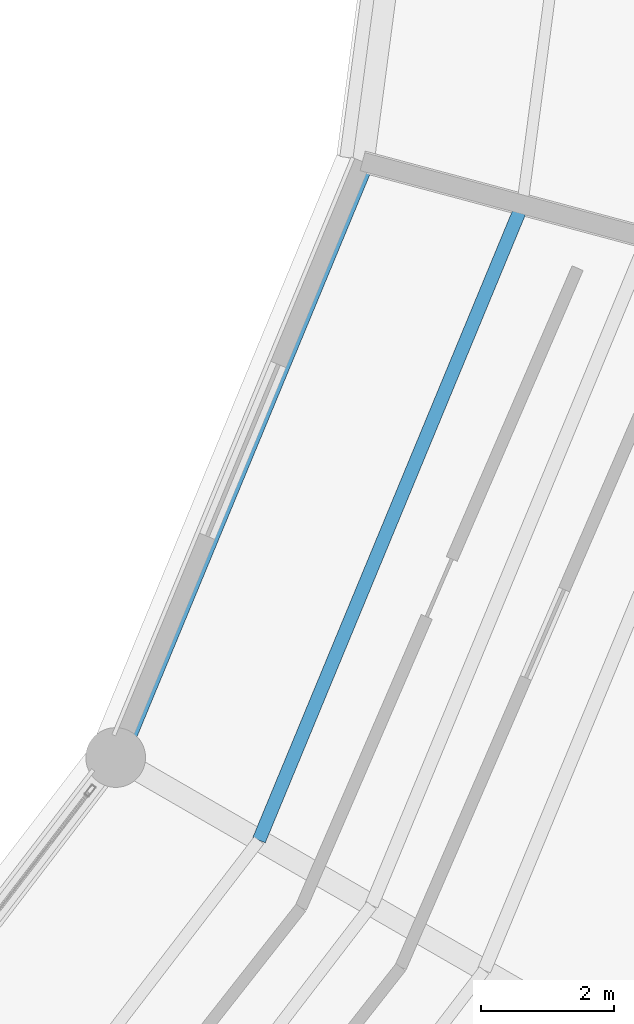
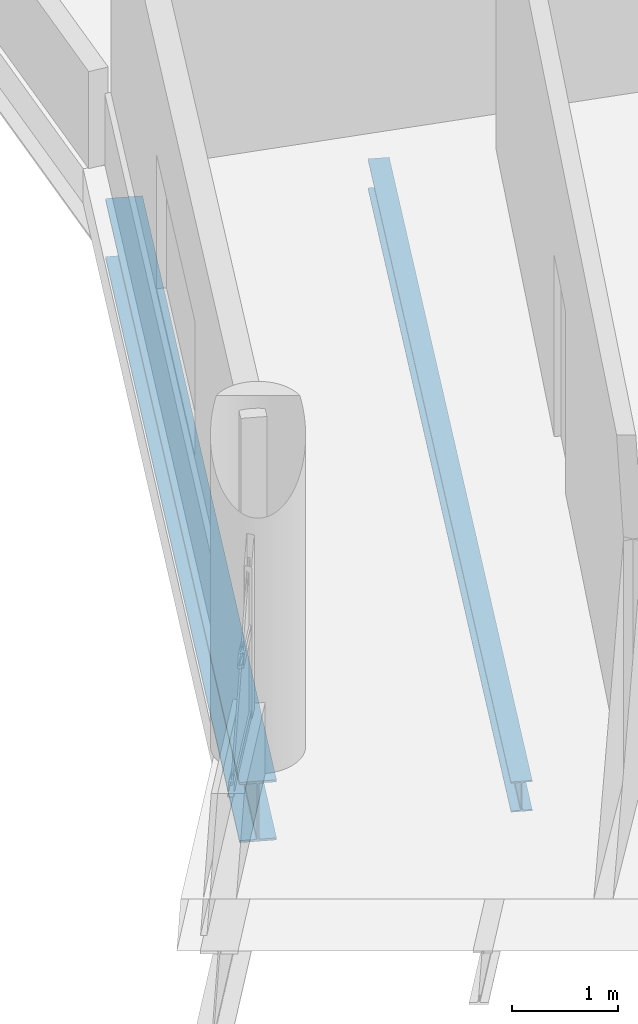
# One storey, part 52 of 108: 2 beams.
"""IFC4 building model written with IfcOpenShell, lengths in metres."""

from ifc_helpers import new_model, si_unit, direction, frame, origin, origin_2d, place, context, subcontext, project, spatial, i_section, extrude, material, material_profile, profile_set, type_object, element, save


model = new_model("IFC4")

# Units and contexts
model_context = context("Model", 3, precision=1e-05, world=origin(), true_north=direction((0.0, 1.0)))
body_context = subcontext(model_context, "Body", "Model", "MODEL_VIEW")
ifc_project = project(units=[si_unit("LENGTHUNIT", "METRE"), si_unit("AREAUNIT", "SQUARE_METRE"), si_unit("VOLUMEUNIT", "CUBIC_METRE"), si_unit("PLANEANGLEUNIT", "RADIAN"), si_unit("MASSUNIT", "GRAM", prefix="KILO")], contexts=[model_context])

# Site, building, storey
site_placement = place(None, origin())
site = spatial("IfcSite", under=ifc_project, at=site_placement, CompositionType="ELEMENT")
building_placement = place(site_placement, origin())
building = spatial("IfcBuilding", under=site, at=building_placement, Name="Vespera Passage Community Centre", CompositionType="ELEMENT")
storey_placement = place(building_placement, frame((0.0, 0.0, 12.60009765625)))
storey = spatial("IfcBuildingStorey", under=building, at=storey_placement, Name="L03", CompositionType="ELEMENT", Elevation=12.60009765625)

# Beams
ifc_material_1 = material(Name="Steel ASTM A992 Grade 50", Category="steel")
ifc_material_profile_1 = material_profile(ifc_material_1, i_section(OverallWidth=0.2041015625, OverallDepth=0.3505859375, WebThickness=0.008544921875, FlangeThickness=0.01513671875, FilletRadius=0.01513671875, at=origin_2d()), Name="W14X48")
ifc_profile_set_1 = profile_set([ifc_material_profile_1], Name="Steel ASTM A992 Grade 50")
beam_type_1 = type_object("IfcBeamType", Name="BM-J-W14X48", PredefinedType="JOIST", material=ifc_profile_set_1)
beam_1_placement = place(storey_placement, frame((112.374267578125, 45.654052734375, -0.575439453125), z_axis=(0.382697233288, 0.923873815861, 0.0), x_axis=(-0.923873815861, 0.382697233288, 0.0)))
element("IfcBeam", 1, at=beam_1_placement, inside=storey, type_object=beam_type_1, Name="V4 L03 Floor Joist 22.1", PredefinedType="JOIST", context=body_context, shape_type="SweptSolid", body=[
    extrude(i_section(OverallWidth=0.2041015625, OverallDepth=0.3505859375, WebThickness=0.008544921875, FlangeThickness=0.01513671875, FilletRadius=0.01513671875, at=origin_2d()), origin(), (0.0, 0.0, 1.0), 10.361572265625),
])
ifc_material_2 = material(Name="Steel ASTM A992 Grade 50", Category="steel")
ifc_material_profile_2 = material_profile(ifc_material_2, i_section(OverallWidth=0.3544921875, OverallDepth=0.695556640625, WebThickness=0.015380859375, FlangeThickness=0.024658203125, FilletRadius=0.01513671875, at=origin_2d()), Name="W27X146")
ifc_profile_set_2 = profile_set([ifc_material_profile_2], Name="Steel ASTM A992 Grade 50")
beam_type_2 = type_object("IfcBeamType", Name="BM-SP-W27X146E", PredefinedType="SPANDREL", material=ifc_profile_set_2)
beam_2_placement = place(storey_placement, frame((110.216064453125, 46.89990234375, -0.747802734375), z_axis=(0.382684844258, 0.923878947685, 0.0), x_axis=(-0.923878947685, 0.382684844258, 0.0)))
element("IfcBeam", 2, at=beam_2_placement, inside=storey, type_object=beam_type_2, Name="V4 L03 Inner Spandrel 22", PredefinedType="SPANDREL", context=body_context, shape_type="SweptSolid", body=[
    extrude(i_section(OverallWidth=0.3544921875, OverallDepth=0.695556640625, WebThickness=0.015380859375, FlangeThickness=0.024658203125, FilletRadius=0.01513671875, at=origin_2d()), origin(), (0.0, 0.0, 1.0), 9.711181640625),
])

save(model, "model.ifc")
